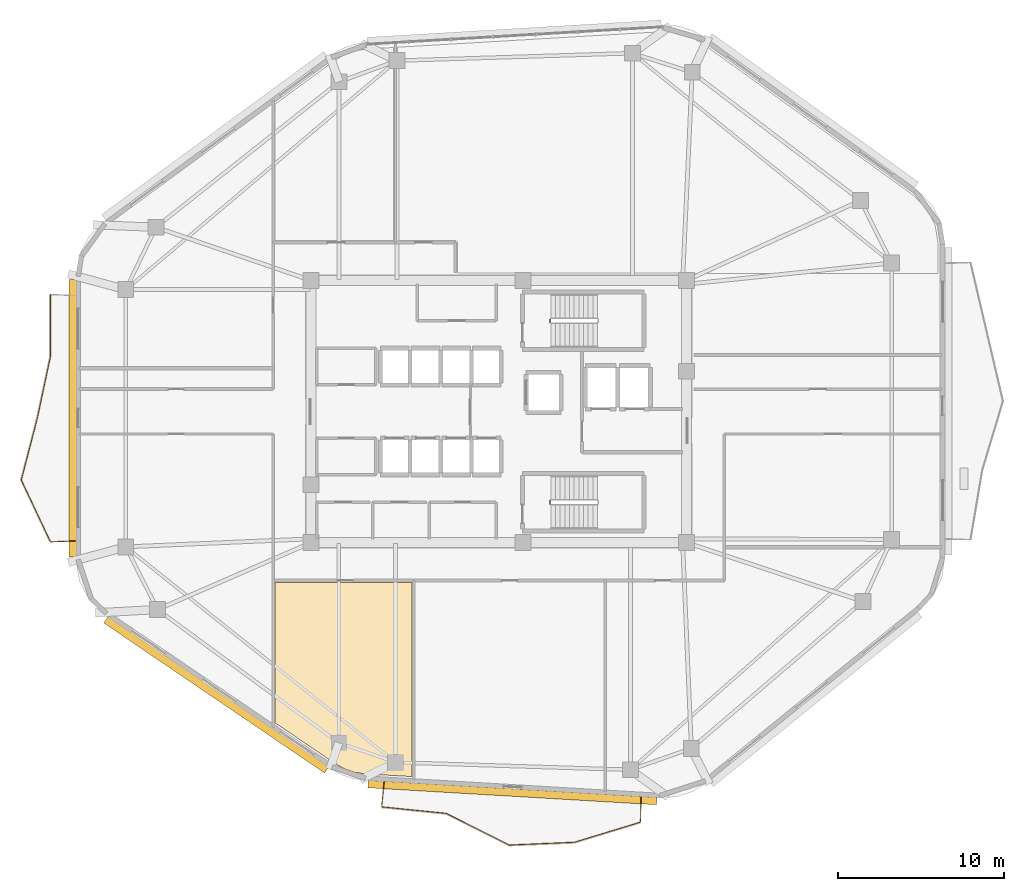
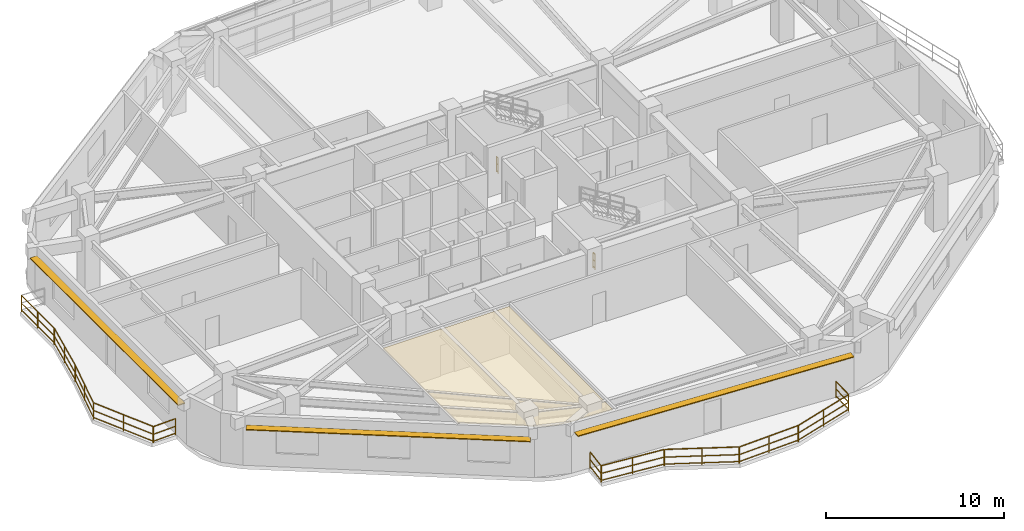
# One storey, part 12 of 14: 13 railings, 3 shading devices, 1 covering.
"""IFC4 building model written with IfcOpenShell, lengths in metres."""

from ifc_helpers import new_model, si_unit, direction, frame, origin, origin_2d, place, context, subcontext, project, spatial, polyline, rectangle, outline, extrude, material, layer, layer_set, type_object, element, save


model = new_model("IFC4")

# Units and contexts
model_context = context("Model", 3, precision=1e-05, world=origin(), true_north=direction((0.0, 1.0)))
body_context = subcontext(model_context, "Body", "Model", "MODEL_VIEW")
ifc_project = project(units=[si_unit("LENGTHUNIT", "METRE"), si_unit("AREAUNIT", "SQUARE_METRE"), si_unit("VOLUMEUNIT", "CUBIC_METRE"), si_unit("PLANEANGLEUNIT", "RADIAN"), si_unit("MASSUNIT", "GRAM", prefix="KILO")], contexts=[model_context])

# Site, building, storey
site_placement = place(None, origin())
site = spatial("IfcSite", under=ifc_project, at=site_placement, CompositionType="ELEMENT")
building_placement = place(site_placement, origin())
building = spatial("IfcBuilding", under=site, at=building_placement, Name="Zulverin Broadcast Headquarters", CompositionType="ELEMENT")
storey_placement = place(building_placement, frame((0.0, 0.0, 216.199951171875)))
storey = spatial("IfcBuildingStorey", under=building, at=storey_placement, Name="L55", CompositionType="ELEMENT", Elevation=216.199951171875)

# Covering
ifc_material_1 = material(Name="Perforated pale-metal acoustic baffle ceiling", Category="aluminium")
ifc_layer_1 = layer(ifc_material_1, 0.0400390625, Name="Perforated pale-metal acoustic baffle ceiling", Category="aluminium")
ifc_layer_set_1 = layer_set([ifc_layer_1], Name="Perforated pale-metal acoustic baffle ceiling")
covering_type = type_object("IfcCoveringType", Name="COV-CEIL-ACOU", PredefinedType="CEILING", material=ifc_layer_set_1)
covering_placement = place(storey_placement, frame((0.0, 0.0, 3.219970703125)))
element("IfcCovering", 1, at=covering_placement, inside=storey, type_object=covering_type, Name="L55 Acoustic Baffle Ceiling 03", PredefinedType="CEILING", context=body_context, shape_type="SweptSolid", body=[
    extrude(outline(polyline([(27.73193359375, 3.739990234375), (28.343994140625, 3.531982421875), (29.0, 3.431884765625), (31.780029296875, 3.27197265625), (31.780029296875, 14.931884765625), (23.572021484375, 14.931884765625), (23.572021484375, 6.49609375), (27.156005859375, 4.06396484375), (27.73193359375, 3.739990234375)])), origin(), (0.0, 0.0, 1.0), 0.0400390625),
])

# Railings
ifc_material_2 = material(Name="Brushed stainless steel & laminated glass balustrade", Category="steel")
railing_type_1 = type_object("IfcRailingType", Name="RL-GUARD-1150", PredefinedType="GUARDRAIL", material=ifc_material_2)
railing_1_placement = place(storey_placement, frame((30.113037109375, 2.927001953125, 0.0)))
element("IfcRailing", 2, at=railing_1_placement, inside=storey, type_object=railing_type_1, Name="L55 Vertical-Forest Balcony Guardrail BAL_S Segment 01", PredefinedType="GUARDRAIL", context=body_context, shape_type="SweptSolid", body=[
    extrude(rectangle(XDim=0.048095703125, YDim=0.048095703125, at=origin_2d()), frame((0.0, 0.0, 1.1259765625), z_axis=(-0.099091482002, -0.995078327668, 0.0), x_axis=(0.995078327668, -0.099091482002, 0.0)), (0.0, 0.0, 1.0), 1.466064453125),
    extrude(rectangle(XDim=0.0419921875, YDim=0.0419921875, at=origin_2d()), frame((0.0, 0.0, 0.597900390625), z_axis=(-0.099091482002, -0.995078327668, 0.0), x_axis=(0.995078327668, -0.099091482002, 0.0)), (0.0, 0.0, 1.0), 1.466064453125),
    extrude(rectangle(XDim=0.0419921875, YDim=0.0419921875, at=origin_2d()), frame((0.0, 0.0, 0.1201171875), z_axis=(-0.099091482002, -0.995078327668, 0.0), x_axis=(0.995078327668, -0.099091482002, 0.0)), (0.0, 0.0, 1.0), 1.466064453125),
    extrude(rectangle(XDim=0.0419921875, YDim=0.0419921875, at=origin_2d()), origin(), (0.0, 0.0, 1.0), 1.101806640625),
    extrude(rectangle(XDim=0.0419921875, YDim=0.0419921875, at=origin_2d()), frame((-0.145263671875, -1.458740234375, 0.0)), (0.0, 0.0, 1.0), 1.101806640625),
])
railing_2_placement = place(storey_placement, frame((29.981201171875, 1.451904296875, 0.0)))
element("IfcRailing", 3, at=railing_2_placement, inside=storey, type_object=railing_type_1, Name="L55 Vertical-Forest Balcony Guardrail BAL_S Segment 02", PredefinedType="GUARDRAIL", context=body_context, shape_type="SweptSolid", body=[
    extrude(rectangle(XDim=0.048095703125, YDim=0.048095703125, at=origin_2d()), frame((0.0, 0.0, 1.1259765625), z_axis=(0.994941139744, -0.100459586128, 0.0), x_axis=(0.100459586128, 0.994941139744, 0.0)), (0.0, 0.0, 1.0), 3.868896484375),
    extrude(rectangle(XDim=0.0419921875, YDim=0.0419921875, at=origin_2d()), frame((0.0, 0.0, 0.597900390625), z_axis=(0.994941139744, -0.100459586128, 0.0), x_axis=(0.100459586128, 0.994941139744, 0.0)), (0.0, 0.0, 1.0), 3.868896484375),
    extrude(rectangle(XDim=0.0419921875, YDim=0.0419921875, at=origin_2d()), frame((0.0, 0.0, 0.1201171875), z_axis=(0.994941139744, -0.100459586128, 0.0), x_axis=(0.100459586128, 0.994941139744, 0.0)), (0.0, 0.0, 1.0), 3.868896484375),
    extrude(rectangle(XDim=0.0419921875, YDim=0.0419921875, at=origin_2d()), origin(), (0.0, 0.0, 1.0), 1.101806640625),
    extrude(rectangle(XDim=0.0419921875, YDim=0.0419921875, at=origin_2d()), frame((1.9248046875, -0.1943359375, 0.0)), (0.0, 0.0, 1.0), 1.101806640625),
    extrude(rectangle(XDim=0.0419921875, YDim=0.0419921875, at=origin_2d()), frame((3.849365234375, -0.388671875, 0.0)), (0.0, 0.0, 1.0), 1.101806640625),
])
railing_3_placement = place(storey_placement, frame((33.85888671875, 1.05517578125, 0.0)))
element("IfcRailing", 4, at=railing_3_placement, inside=storey, type_object=railing_type_1, Name="L55 Vertical-Forest Balcony Guardrail BAL_S Segment 03", PredefinedType="GUARDRAIL", context=body_context, shape_type="SweptSolid", body=[
    extrude(rectangle(XDim=0.048095703125, YDim=0.048095703125, at=origin_2d()), frame((0.0, 0.0, 1.1259765625), z_axis=(0.893893094848, -0.448280196956, 0.0), x_axis=(0.448280196956, 0.893893094848, 0.0)), (0.0, 0.0, 1.0), 4.21044921875),
    extrude(rectangle(XDim=0.0419921875, YDim=0.0419921875, at=origin_2d()), frame((0.0, 0.0, 0.597900390625), z_axis=(0.893893094848, -0.448280196956, 0.0), x_axis=(0.448280196956, 0.893893094848, 0.0)), (0.0, 0.0, 1.0), 4.21044921875),
    extrude(rectangle(XDim=0.0419921875, YDim=0.0419921875, at=origin_2d()), frame((0.0, 0.0, 0.1201171875), z_axis=(0.893893094848, -0.448280196956, 0.0), x_axis=(0.448280196956, 0.893893094848, 0.0)), (0.0, 0.0, 1.0), 4.21044921875),
    extrude(rectangle(XDim=0.0419921875, YDim=0.0419921875, at=origin_2d()), origin(), (0.0, 0.0, 1.0), 1.101806640625),
    extrude(rectangle(XDim=0.0419921875, YDim=0.0419921875, at=origin_2d()), frame((1.8818359375, -0.94384765625, 0.0)), (0.0, 0.0, 1.0), 1.101806640625),
    extrude(rectangle(XDim=0.0419921875, YDim=0.0419921875, at=origin_2d()), frame((3.763671875, -1.887451171875, 0.0)), (0.0, 0.0, 1.0), 1.101806640625),
])
railing_4_placement = place(storey_placement, frame((37.65087890625, -0.83837890625, 0.0)))
element("IfcRailing", 5, at=railing_4_placement, inside=storey, type_object=railing_type_1, Name="L55 Vertical-Forest Balcony Guardrail BAL_S Segment 04", PredefinedType="GUARDRAIL", context=body_context, shape_type="SweptSolid", body=[
    extrude(rectangle(XDim=0.048095703125, YDim=0.048095703125, at=origin_2d()), frame((0.0, 0.0, 1.1259765625), z_axis=(0.999105637245, 0.042283869568, 0.0), x_axis=(-0.042283869568, 0.999105637245, 0.0)), (0.0, 0.0, 1.0), 3.8857421875),
    extrude(rectangle(XDim=0.0419921875, YDim=0.0419921875, at=origin_2d()), frame((0.0, 0.0, 0.597900390625), z_axis=(0.999105637245, 0.042283869568, 0.0), x_axis=(-0.042283869568, 0.999105637245, 0.0)), (0.0, 0.0, 1.0), 3.8857421875),
    extrude(rectangle(XDim=0.0419921875, YDim=0.0419921875, at=origin_2d()), frame((0.0, 0.0, 0.1201171875), z_axis=(0.999105637245, 0.042283869568, 0.0), x_axis=(-0.042283869568, 0.999105637245, 0.0)), (0.0, 0.0, 1.0), 3.8857421875),
    extrude(rectangle(XDim=0.0419921875, YDim=0.0419921875, at=origin_2d()), origin(), (0.0, 0.0, 1.0), 1.101806640625),
    extrude(rectangle(XDim=0.0419921875, YDim=0.0419921875, at=origin_2d()), frame((1.941162109375, 0.08203125, 0.0)), (0.0, 0.0, 1.0), 1.101806640625),
    extrude(rectangle(XDim=0.0419921875, YDim=0.0419921875, at=origin_2d()), frame((3.88232421875, 0.164306640625, 0.0)), (0.0, 0.0, 1.0), 1.101806640625),
])
railing_5_placement = place(storey_placement, frame((41.5625, -0.6689453125, 0.0)))
element("IfcRailing", 6, at=railing_5_placement, inside=storey, type_object=railing_type_1, Name="L55 Vertical-Forest Balcony Guardrail BAL_S Segment 05", PredefinedType="GUARDRAIL", context=body_context, shape_type="SweptSolid", body=[
    extrude(rectangle(XDim=0.048095703125, YDim=0.048095703125, at=origin_2d()), frame((0.0, 0.0, 1.1259765625), z_axis=(0.956519606519, 0.291668034492, 0.0), x_axis=(-0.291668034492, 0.956519606519, 0.0)), (0.0, 0.0, 1.0), 4.1240234375),
    extrude(rectangle(XDim=0.0419921875, YDim=0.0419921875, at=origin_2d()), frame((0.0, 0.0, 0.597900390625), z_axis=(0.956519606519, 0.291668034492, 0.0), x_axis=(-0.291668034492, 0.956519606519, 0.0)), (0.0, 0.0, 1.0), 4.1240234375),
    extrude(rectangle(XDim=0.0419921875, YDim=0.0419921875, at=origin_2d()), frame((0.0, 0.0, 0.1201171875), z_axis=(0.956519606519, 0.291668034492, 0.0), x_axis=(-0.291668034492, 0.956519606519, 0.0)), (0.0, 0.0, 1.0), 4.1240234375),
    extrude(rectangle(XDim=0.0419921875, YDim=0.0419921875, at=origin_2d()), origin(), (0.0, 0.0, 1.0), 1.101806640625),
    extrude(rectangle(XDim=0.0419921875, YDim=0.0419921875, at=origin_2d()), frame((1.972412109375, 0.6015625, 0.0)), (0.0, 0.0, 1.0), 1.101806640625),
    extrude(rectangle(XDim=0.0419921875, YDim=0.0419921875, at=origin_2d()), frame((3.94482421875, 1.202880859375, 0.0)), (0.0, 0.0, 1.0), 1.101806640625),
])
railing_6_placement = place(storey_placement, frame((45.52197265625, 0.55322265625, 0.0)))
element("IfcRailing", 7, at=railing_6_placement, inside=storey, type_object=railing_type_1, Name="L55 Vertical-Forest Balcony Guardrail BAL_S Segment 06", PredefinedType="GUARDRAIL", context=body_context, shape_type="SweptSolid", body=[
    extrude(rectangle(XDim=0.048095703125, YDim=0.048095703125, at=origin_2d()), frame((0.0, 0.0, 1.1259765625), z_axis=(0.018148550851, 0.999835301488, 0.0), x_axis=(-0.999835301488, 0.018148550851, 0.0)), (0.0, 0.0, 1.0), 1.46630859375),
    extrude(rectangle(XDim=0.0419921875, YDim=0.0419921875, at=origin_2d()), frame((0.0, 0.0, 0.597900390625), z_axis=(0.018148550851, 0.999835301488, 0.0), x_axis=(-0.999835301488, 0.018148550851, 0.0)), (0.0, 0.0, 1.0), 1.46630859375),
    extrude(rectangle(XDim=0.0419921875, YDim=0.0419921875, at=origin_2d()), frame((0.0, 0.0, 0.1201171875), z_axis=(0.018148550851, 0.999835301488, 0.0), x_axis=(-0.999835301488, 0.018148550851, 0.0)), (0.0, 0.0, 1.0), 1.46630859375),
    extrude(rectangle(XDim=0.0419921875, YDim=0.0419921875, at=origin_2d()), origin(), (0.0, 0.0, 1.0), 1.101806640625),
    extrude(rectangle(XDim=0.0419921875, YDim=0.0419921875, at=origin_2d()), frame((0.026611328125, 1.466064453125, 0.0)), (0.0, 0.0, 1.0), 1.101806640625),
])
railing_7_placement = place(storey_placement, frame((10.080078125, 32.225341796875, 0.0)))
element("IfcRailing", 8, at=railing_7_placement, inside=storey, type_object=railing_type_1, Name="L55 Vertical-Forest Balcony Guardrail BAL_W Segment 02", PredefinedType="GUARDRAIL", context=body_context, shape_type="SweptSolid", body=[
    extrude(rectangle(XDim=0.048095703125, YDim=0.048095703125, at=origin_2d()), frame((0.0, 0.0, 1.1259765625), z_axis=(0.0, -1.0, 0.0), x_axis=(1.0, 0.0, 0.0)), (0.0, 0.0, 1.0), 3.688232421875),
    extrude(rectangle(XDim=0.0419921875, YDim=0.0419921875, at=origin_2d()), frame((0.0, 0.0, 0.597900390625), z_axis=(0.0, -1.0, 0.0), x_axis=(1.0, 0.0, 0.0)), (0.0, 0.0, 1.0), 3.688232421875),
    extrude(rectangle(XDim=0.0419921875, YDim=0.0419921875, at=origin_2d()), frame((0.0, 0.0, 0.1201171875), z_axis=(0.0, -1.0, 0.0), x_axis=(1.0, 0.0, 0.0)), (0.0, 0.0, 1.0), 3.688232421875),
    extrude(rectangle(XDim=0.0419921875, YDim=0.0419921875, at=origin_2d()), origin(), (0.0, 0.0, 1.0), 1.101806640625),
    extrude(rectangle(XDim=0.0419921875, YDim=0.0419921875, at=origin_2d()), frame((0.0, -1.84423828125, 0.0)), (0.0, 0.0, 1.0), 1.101806640625),
    extrude(rectangle(XDim=0.0419921875, YDim=0.0419921875, at=origin_2d()), frame((0.0, -3.688232421875, 0.0)), (0.0, 0.0, 1.0), 1.101806640625),
])
railing_8_placement = place(storey_placement, frame((10.076904296875, 28.50732421875, 0.0)))
element("IfcRailing", 9, at=railing_8_placement, inside=storey, type_object=railing_type_1, Name="L55 Vertical-Forest Balcony Guardrail BAL_W Segment 03", PredefinedType="GUARDRAIL", context=body_context, shape_type="SweptSolid", body=[
    extrude(rectangle(XDim=0.048095703125, YDim=0.048095703125, at=origin_2d()), frame((0.0, 0.0, 1.1259765625), z_axis=(-0.207755772077, -0.978180729297, 0.0), x_axis=(0.978180729297, -0.207755772077, 0.0)), (0.0, 0.0, 1.0), 3.77099609375),
    extrude(rectangle(XDim=0.0419921875, YDim=0.0419921875, at=origin_2d()), frame((0.0, 0.0, 0.597900390625), z_axis=(-0.207755772077, -0.978180729297, 0.0), x_axis=(0.978180729297, -0.207755772077, 0.0)), (0.0, 0.0, 1.0), 3.77099609375),
    extrude(rectangle(XDim=0.0419921875, YDim=0.0419921875, at=origin_2d()), frame((0.0, 0.0, 0.1201171875), z_axis=(-0.207755772077, -0.978180729297, 0.0), x_axis=(0.978180729297, -0.207755772077, 0.0)), (0.0, 0.0, 1.0), 3.77099609375),
    extrude(rectangle(XDim=0.0419921875, YDim=0.0419921875, at=origin_2d()), origin(), (0.0, 0.0, 1.0), 1.101806640625),
    extrude(rectangle(XDim=0.0419921875, YDim=0.0419921875, at=origin_2d()), frame((-0.3916015625, -1.84423828125, 0.0)), (0.0, 0.0, 1.0), 1.101806640625),
    extrude(rectangle(XDim=0.0419921875, YDim=0.0419921875, at=origin_2d()), frame((-0.783447265625, -3.688720703125, 0.0)), (0.0, 0.0, 1.0), 1.101806640625),
])
railing_9_placement = place(storey_placement, frame((9.28662109375, 24.78955078125, 0.0)))
element("IfcRailing", 10, at=railing_9_placement, inside=storey, type_object=railing_type_1, Name="L55 Vertical-Forest Balcony Guardrail BAL_W Segment 04", PredefinedType="GUARDRAIL", context=body_context, shape_type="SweptSolid", body=[
    extrude(rectangle(XDim=0.048095703125, YDim=0.048095703125, at=origin_2d()), frame((0.0, 0.0, 1.1259765625), z_axis=(-0.251042188903, -0.967976146086, 0.0), x_axis=(0.967976146086, -0.251042188903, 0.0)), (0.0, 0.0, 1.0), 3.811279296875),
    extrude(rectangle(XDim=0.0419921875, YDim=0.0419921875, at=origin_2d()), frame((0.0, 0.0, 0.597900390625), z_axis=(-0.251042188903, -0.967976146086, 0.0), x_axis=(0.967976146086, -0.251042188903, 0.0)), (0.0, 0.0, 1.0), 3.811279296875),
    extrude(rectangle(XDim=0.0419921875, YDim=0.0419921875, at=origin_2d()), frame((0.0, 0.0, 0.1201171875), z_axis=(-0.251042188903, -0.967976146086, 0.0), x_axis=(0.967976146086, -0.251042188903, 0.0)), (0.0, 0.0, 1.0), 3.811279296875),
    extrude(rectangle(XDim=0.0419921875, YDim=0.0419921875, at=origin_2d()), origin(), (0.0, 0.0, 1.0), 1.101806640625),
    extrude(rectangle(XDim=0.0419921875, YDim=0.0419921875, at=origin_2d()), frame((-0.478515625, -1.8447265625, 0.0)), (0.0, 0.0, 1.0), 1.101806640625),
    extrude(rectangle(XDim=0.0419921875, YDim=0.0419921875, at=origin_2d()), frame((-0.956787109375, -3.689208984375, 0.0)), (0.0, 0.0, 1.0), 1.101806640625),
])
railing_10_placement = place(storey_placement, frame((8.33251953125, 21.072265625, 0.0)))
element("IfcRailing", 11, at=railing_10_placement, inside=storey, type_object=railing_type_1, Name="L55 Vertical-Forest Balcony Guardrail BAL_W Segment 05", PredefinedType="GUARDRAIL", context=body_context, shape_type="SweptSolid", body=[
    extrude(rectangle(XDim=0.048095703125, YDim=0.048095703125, at=origin_2d()), frame((0.0, 0.0, 1.1259765625), z_axis=(0.426589130423, -0.904445528379, 0.0), x_axis=(0.904445528379, 0.426589130423, 0.0)), (0.0, 0.0, 1.0), 4.0810546875),
    extrude(rectangle(XDim=0.0419921875, YDim=0.0419921875, at=origin_2d()), frame((0.0, 0.0, 0.597900390625), z_axis=(0.426589130423, -0.904445528379, 0.0), x_axis=(0.904445528379, 0.426589130423, 0.0)), (0.0, 0.0, 1.0), 4.0810546875),
    extrude(rectangle(XDim=0.0419921875, YDim=0.0419921875, at=origin_2d()), frame((0.0, 0.0, 0.1201171875), z_axis=(0.426589130423, -0.904445528379, 0.0), x_axis=(0.904445528379, 0.426589130423, 0.0)), (0.0, 0.0, 1.0), 4.0810546875),
    extrude(rectangle(XDim=0.0419921875, YDim=0.0419921875, at=origin_2d()), origin(), (0.0, 0.0, 1.0), 1.101806640625),
    extrude(rectangle(XDim=0.0419921875, YDim=0.0419921875, at=origin_2d()), frame((0.87060546875, -1.845703125, 0.0)), (0.0, 0.0, 1.0), 1.101806640625),
    extrude(rectangle(XDim=0.0419921875, YDim=0.0419921875, at=origin_2d()), frame((1.740966796875, -3.691162109375, 0.0)), (0.0, 0.0, 1.0), 1.101806640625),
])
railing_11_placement = place(storey_placement, frame((10.094970703125, 17.3681640625, 0.0)))
element("IfcRailing", 12, at=railing_11_placement, inside=storey, type_object=railing_type_1, Name="L55 Vertical-Forest Balcony Guardrail BAL_W Segment 06", PredefinedType="GUARDRAIL", context=body_context, shape_type="SweptSolid", body=[
    extrude(rectangle(XDim=0.048095703125, YDim=0.048095703125, at=origin_2d()), frame((0.0, 0.0, 1.1259765625), z_axis=(0.999181155166, 0.040460093435, 0.0), x_axis=(-0.040460093435, 0.999181155166, 0.0)), (0.0, 0.0, 1.0), 1.46630859375),
    extrude(rectangle(XDim=0.0419921875, YDim=0.0419921875, at=origin_2d()), frame((0.0, 0.0, 0.597900390625), z_axis=(0.999181155166, 0.040460093435, 0.0), x_axis=(-0.040460093435, 0.999181155166, 0.0)), (0.0, 0.0, 1.0), 1.46630859375),
    extrude(rectangle(XDim=0.0419921875, YDim=0.0419921875, at=origin_2d()), frame((0.0, 0.0, 0.1201171875), z_axis=(0.999181155166, 0.040460093435, 0.0), x_axis=(-0.040460093435, 0.999181155166, 0.0)), (0.0, 0.0, 1.0), 1.46630859375),
    extrude(rectangle(XDim=0.0419921875, YDim=0.0419921875, at=origin_2d()), origin(), (0.0, 0.0, 1.0), 1.101806640625),
    extrude(rectangle(XDim=0.0419921875, YDim=0.0419921875, at=origin_2d()), frame((1.465087890625, 0.059326171875, 0.0)), (0.0, 0.0, 1.0), 1.101806640625),
])
ifc_material_3 = material(Name="Painted galvanized steel tubular guardrail S355JR", Category="steel")
railing_type_2 = type_object("IfcRailingType", Name="RL-ST-GUARD", PredefinedType="GUARDRAIL", material=ifc_material_3)
railing_12_placement = place(storey_placement, frame((40.080078125, 30.550048828125, 0.0)))
element("IfcRailing", 13, at=railing_12_placement, inside=storey, type_object=railing_type_2, Name="L55 ST-1 stair guard 4", PredefinedType="GUARDRAIL", context=body_context, shape_type="SweptSolid", body=[
    extrude(rectangle(XDim=0.048095703125, YDim=0.048095703125, at=origin_2d()), frame((0.0, 0.0, 1.076171875), z_axis=(0.0, 1.0, 0.0), x_axis=(-1.0, 0.0, 0.0)), (0.0, 0.0, 1.0), 0.199951171875),
    extrude(rectangle(XDim=0.0419921875, YDim=0.0419921875, at=origin_2d()), frame((0.0, 0.0, 0.572021484375), z_axis=(0.0, 1.0, 0.0), x_axis=(-1.0, 0.0, 0.0)), (0.0, 0.0, 1.0), 0.199951171875),
    extrude(rectangle(XDim=0.0419921875, YDim=0.0419921875, at=origin_2d()), frame((0.0, 0.0, 0.1201171875), z_axis=(0.0, 1.0, 0.0), x_axis=(-1.0, 0.0, 0.0)), (0.0, 0.0, 1.0), 0.199951171875),
    extrude(rectangle(XDim=0.0419921875, YDim=0.0419921875, at=origin_2d()), origin(), (0.0, 0.0, 1.0), 1.052001953125),
    extrude(rectangle(XDim=0.0419921875, YDim=0.0419921875, at=origin_2d()), frame((0.0, 0.199951171875, 0.0)), (0.0, 0.0, 1.0), 1.052001953125),
])
railing_13_placement = place(storey_placement, frame((40.080078125, 19.64990234375, 0.0)))
element("IfcRailing", 14, at=railing_13_placement, inside=storey, type_object=railing_type_2, Name="L55 ST-2 stair guard 4", PredefinedType="GUARDRAIL", context=body_context, shape_type="SweptSolid", body=[
    extrude(rectangle(XDim=0.048095703125, YDim=0.048095703125, at=origin_2d()), frame((0.0, 0.0, 1.076171875), z_axis=(0.0, 1.0, 0.0), x_axis=(-1.0, 0.0, 0.0)), (0.0, 0.0, 1.0), 0.2001953125),
    extrude(rectangle(XDim=0.0419921875, YDim=0.0419921875, at=origin_2d()), frame((0.0, 0.0, 0.572021484375), z_axis=(0.0, 1.0, 0.0), x_axis=(-1.0, 0.0, 0.0)), (0.0, 0.0, 1.0), 0.2001953125),
    extrude(rectangle(XDim=0.0419921875, YDim=0.0419921875, at=origin_2d()), frame((0.0, 0.0, 0.1201171875), z_axis=(0.0, 1.0, 0.0), x_axis=(-1.0, 0.0, 0.0)), (0.0, 0.0, 1.0), 0.2001953125),
    extrude(rectangle(XDim=0.0419921875, YDim=0.0419921875, at=origin_2d()), origin(), (0.0, 0.0, 1.0), 1.052001953125),
    extrude(rectangle(XDim=0.0419921875, YDim=0.0419921875, at=origin_2d()), frame((0.0, 0.2001953125, 0.0)), (0.0, 0.0, 1.0), 1.052001953125),
])

# Shading devices
ifc_material_4 = material(Name="Anodized pale-metal aluminium sunshade", Category="aluminium")
ifc_layer_2 = layer(ifc_material_4, 0.06005859375, Name="Anodized pale-metal aluminium sunshade", Category="aluminium")
ifc_layer_set_2 = layer_set([ifc_layer_2], Name="Anodized pale-metal aluminium sunshade")
shading_device_type = type_object("IfcShadingDeviceType", Name="SS-01_PALE_METAL_ALUMINIUM_SUNSHADE", PredefinedType="USERDEFINED", material=ifc_layer_set_2)
shading_device_1_placement = place(storey_placement, frame((37.821533203125, 2.3134765625, 2.7099609375), z_axis=(0.0, 0.0, 1.0), x_axis=(0.998274435348, -0.058720965002, 0.0)))
element("IfcShadingDevice", 15, at=shading_device_1_placement, inside=storey, type_object=shading_device_type, Name="L55 Horizontal Pale-Metal Sunshade Band 1", ObjectType="SUNSHADE", PredefinedType="USERDEFINED", context=body_context, shape_type="SweptSolid", body=[
    extrude(rectangle(XDim=17.38232421875, YDim=0.449951171875, at=origin_2d()), origin(), (0.0, 0.0, 1.0), 0.06005859375),
])
shading_device_2_placement = place(storey_placement, frame((11.39990234375, 24.803955078125, 2.7099609375), z_axis=(0.0, 0.0, 1.0), x_axis=(0.0, -1.0, 0.0)))
element("IfcShadingDevice", 16, at=shading_device_2_placement, inside=storey, type_object=shading_device_type, Name="L55 Horizontal Pale-Metal Sunshade Band 7", ObjectType="SUNSHADE", PredefinedType="USERDEFINED", context=body_context, shape_type="SweptSolid", body=[
    extrude(rectangle(XDim=16.672607421875, YDim=0.449951171875, at=origin_2d()), origin(), (0.0, 0.0, 1.0), 0.06005859375),
])
shading_device_3_placement = place(storey_placement, frame((20.034912109375, 8.17431640625, 2.7099609375), z_axis=(0.0, 0.0, 1.0), x_axis=(0.82702465201, -0.562165656162, 0.0)))
element("IfcShadingDevice", 17, at=shading_device_3_placement, inside=storey, type_object=shading_device_type, Name="L55 Horizontal Pale-Metal Sunshade Band 8", ObjectType="SUNSHADE", PredefinedType="USERDEFINED", context=body_context, shape_type="SweptSolid", body=[
    extrude(rectangle(XDim=16.03515625, YDim=0.449951171875, at=origin_2d()), origin(), (0.0, 0.0, 1.0), 0.06005859375),
])

save(model, "model.ifc")
